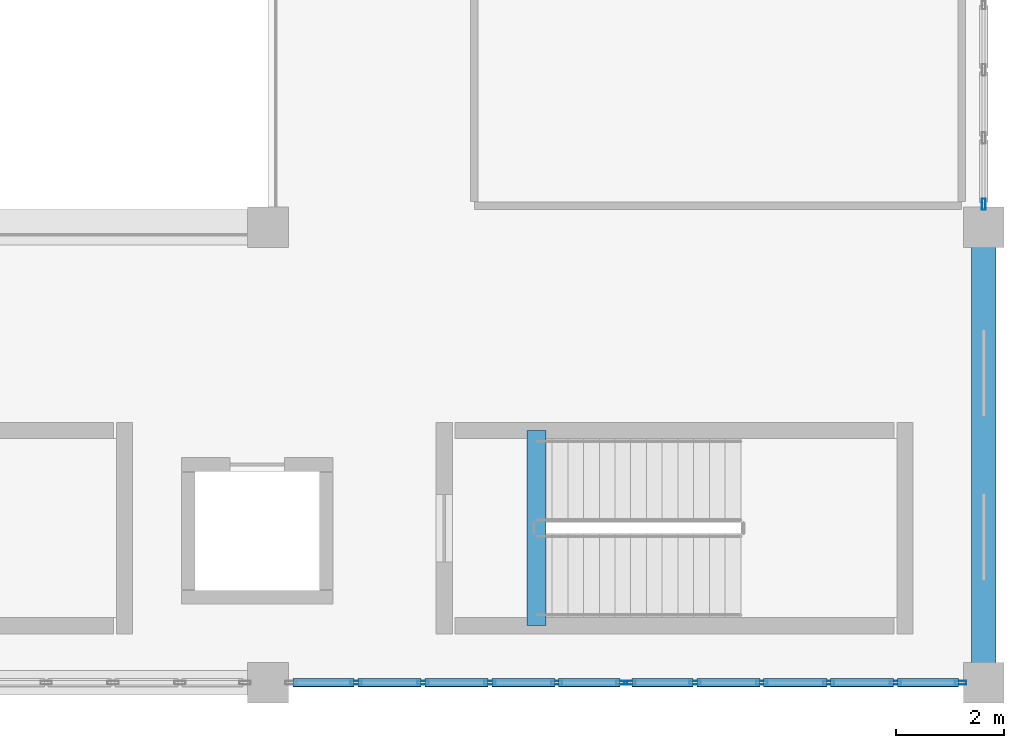
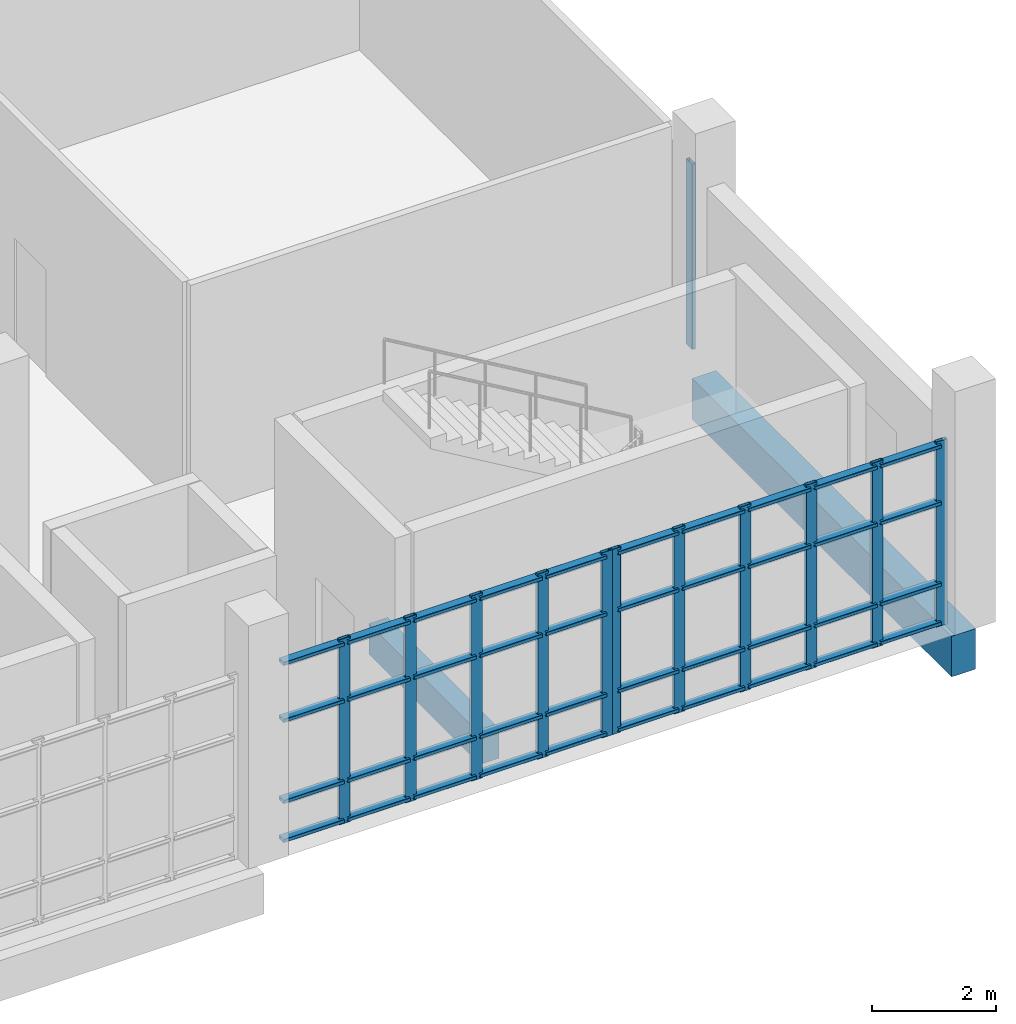
# One storey, part 51 of 106: 52 members, 2 beams, 3 elements without a shape of their own.
"""IFC4 building model written with IfcOpenShell, lengths in metres."""

import ifcopenshell
import ifcopenshell.guid

model = None  # the IFC model being written
_history = None  # IfcOwnerHistory: only IFC2X3 demands one
_inside = {}  # id of a spatial element -> (the spatial element, [elements in it])
_under = {}  # id of a project, library or spatial element -> (it, [spatial elements below it])
_declared = {}  # id of a project -> (the project, [libraries it declares])
_typed = {}  # id of a type object -> (the type object, [elements of that type])
_made_of = {}  # id of a material, layer set ... -> (it, [elements and type objects made of it])


def new_model(schema):
    """Start an empty IFC model of exactly this schema.

    Asked for "IFC4X3", IfcOpenShell would pick the latest addendum, in which some entities
    have other attributes; the version numbers below select the first issue.
    IFC2X3 requires an IfcOwnerHistory on every rooted entity: one is made here for all.
    """
    global model, _history
    if schema == "IFC4X3":
        model = ifcopenshell.file(schema_version=(4, 3, 0, 0))
    else:
        model = ifcopenshell.file(schema=schema)
    _inside.clear()
    _under.clear()
    _declared.clear()
    _typed.clear()
    _made_of.clear()
    _history = None
    if model.schema == "IFC2X3":
        org = make("IfcOrganization", Name="unknown")
        user = make(
            "IfcPersonAndOrganization",
            ThePerson=make("IfcPerson", FamilyName="unknown"),
            TheOrganization=org,
        )
        app = make(
            "IfcApplication",
            ApplicationDeveloper=org,
            Version="unknown",
            ApplicationFullName="unknown",
            ApplicationIdentifier="unknown",
        )
        _history = make(
            "IfcOwnerHistory",
            OwningUser=user,
            OwningApplication=app,
            ChangeAction="ADDED",
            CreationDate=0,
        )
    return model


def make(cls, **values):
    """One entity of the class cls with the attributes given. An attribute that is None is left unset."""
    return model.create_entity(
        cls, **{name: value for name, value in values.items() if value is not None}
    )


def rooted(cls, **values):
    """An entity with a GlobalId (a new one), such as an element, a storey or a relation."""
    return make(cls, GlobalId=ifcopenshell.guid.new(), OwnerHistory=_history, **values)


def si_unit(unit_type, name, prefix=None):
    """IfcSIUnit, for example si_unit("LENGTHUNIT", "METRE", prefix="MILLI")."""
    return make("IfcSIUnit", UnitType=unit_type, Prefix=prefix, Name=name)


def assignment(units):
    """IfcUnitAssignment: the units of a project."""
    return None if units is None else make("IfcUnitAssignment", Units=units)


def point(xyz):
    """IfcCartesianPoint."""
    return None if xyz is None else make("IfcCartesianPoint", Coordinates=xyz)


def direction(xyz):
    """IfcDirection."""
    return None if xyz is None else make("IfcDirection", DirectionRatios=xyz)


def frame(location, z_axis=None, x_axis=None):
    """IfcAxis2Placement3D, a coordinate frame: its origin and axes. An axis left out is left unset."""
    return make(
        "IfcAxis2Placement3D",
        Location=point(location),
        Axis=direction(z_axis),
        RefDirection=direction(x_axis),
    )


def frame_2d(location, x_axis=None):
    """IfcAxis2Placement2D, a coordinate frame in the plane: its origin and x axis."""
    return make(
        "IfcAxis2Placement2D", Location=point(location), RefDirection=direction(x_axis)
    )


def origin():
    """The frame at (0, 0, 0) with its axes left unset."""
    return frame((0.0, 0.0, 0.0))


def origin_2d():
    """The frame at (0, 0) in the plane with its x axis left unset."""
    return frame_2d((0.0, 0.0))


def place(relative_to, where):
    """IfcLocalPlacement: puts the frame where relative to a parent placement (None: the world)."""
    return make(
        "IfcLocalPlacement", PlacementRelTo=relative_to, RelativePlacement=where
    )


def context(
    kind, dimensions, precision=None, world=None, true_north=None, identifier=None
):
    """IfcGeometricRepresentationContext, for example the 3D "Model" context."""
    return make(
        "IfcGeometricRepresentationContext",
        ContextIdentifier=identifier,
        ContextType=kind,
        CoordinateSpaceDimension=dimensions,
        Precision=precision,
        WorldCoordinateSystem=world,
        TrueNorth=true_north,
    )


def subcontext(parent, identifier, kind, view, scale=None):
    """IfcGeometricRepresentationSubContext, for example "Body" below "Model"."""
    return make(
        "IfcGeometricRepresentationSubContext",
        ContextIdentifier=identifier,
        ContextType=kind,
        ParentContext=parent,
        TargetScale=scale,
        TargetView=view,
    )


def project(units=None, contexts=None):
    """IfcProject with its units and contexts."""
    return rooted(
        "IfcProject",
        Name="project",
        RepresentationContexts=contexts,
        UnitsInContext=assignment(units),
    )


def spatial(cls, under=None, at=None, **own):
    """A site, building, storey or space (cls), placed at a placement, below another one or the project."""
    s = rooted(cls, ObjectPlacement=at, **own)
    if under is not None:
        _under.setdefault(under.id(), (under, []))[1].append(s)
    return s


def profile(cls, at=None, kind="AREA", **sizes):
    """A parametric profile (cls). Its sizes go by their IFC names, for example OverallWidth=200.0."""
    return make(cls, ProfileType=kind, Position=at, **sizes)


def rectangle(**sizes):
    """IfcRectangleProfileDef."""
    return profile("IfcRectangleProfileDef", **sizes)


def hollow_rectangle(**sizes):
    """IfcRectangleHollowProfileDef."""
    return profile("IfcRectangleHollowProfileDef", **sizes)


def extrude(swept, where, along, depth):
    """IfcExtrudedAreaSolid: the profile swept, set in the frame where, extruded along a direction by depth."""
    return make(
        "IfcExtrudedAreaSolid",
        SweptArea=swept,
        Position=where,
        ExtrudedDirection=direction(along),
        Depth=depth,
    )


def shape(context_of_items, identifier, shape_type, items):
    """IfcShapeRepresentation: the items that make up one representation, for example the "Body"."""
    return make(
        "IfcShapeRepresentation",
        ContextOfItems=context_of_items,
        RepresentationIdentifier=identifier,
        RepresentationType=shape_type,
        Items=items,
    )


def material(Name=None, Category=None):
    """IfcMaterial."""
    return make("IfcMaterial", Name=Name, Category=Category)


def layer(
    of_material, thickness, ventilated=None, Name=None, Category=None, Priority=None
):
    """IfcMaterialLayer: one layer of a wall or slab, of a material (None: an air gap)."""
    return make(
        "IfcMaterialLayer",
        Material=of_material,
        LayerThickness=thickness,
        IsVentilated=ventilated,
        Name=Name,
        Category=Category,
        Priority=Priority,
    )


def layer_set(layers, Name=None):
    """IfcMaterialLayerSet."""
    return make("IfcMaterialLayerSet", MaterialLayers=layers, LayerSetName=Name)


def material_profile(
    of_material, cross_section, Name=None, Category=None, Priority=None
):
    """IfcMaterialProfile: a cross section and its material."""
    return make(
        "IfcMaterialProfile",
        Name=Name,
        Material=of_material,
        Profile=cross_section,
        Priority=Priority,
        Category=Category,
    )


def profile_set(profiles, Name=None, composite=None):
    """IfcMaterialProfileSet."""
    return make(
        "IfcMaterialProfileSet",
        Name=Name,
        MaterialProfiles=profiles,
        CompositeProfile=composite,
    )


def made_of(thing, what):
    """Note that an element or type object is made of a material, layer set ...; save() writes the relation."""
    if what is not None:
        _made_of.setdefault(what.id(), (what, []))[1].append(thing)
    return thing


def type_object(cls, material=None, **own):
    """A type object (cls), such as IfcWallType, which elements share."""
    return made_of(rooted(cls, **own), material)


def element(
    cls,
    number,
    at=None,
    inside=None,
    cuts=None,
    type_object=None,
    material=None,
    context=None,
    identifier="Body",
    shape_type=None,
    held_by="IfcProductDefinitionShape",
    body=None,
    shapes=None,
    **own,
):
    """One element of the class cls, such as IfcWall. Its Tag is "e" and its number.

    at: its placement. inside: the storey or other place that contains it. cuts: it is an
    opening in that element (IfcRelVoidsElement). A single representation is given by context,
    identifier, shape_type and body (its items); several are given by shapes. held_by: the class
    of the entity that holds the representations. save() writes the other relations.
    """
    e = rooted(cls, Tag="e%d" % number, ObjectPlacement=at, **own)
    if body is not None:
        shapes = [shape(context, identifier, shape_type, body)]
    if shapes is not None:
        e.Representation = make(held_by, Representations=shapes)
    if inside is not None:
        _inside.setdefault(inside.id(), (inside, []))[1].append(e)
    if cuts is not None:
        rooted(
            "IfcRelVoidsElement", RelatingBuildingElement=cuts, RelatedOpeningElement=e
        )
    if type_object is not None:
        _typed.setdefault(type_object.id(), (type_object, []))[1].append(e)
    return made_of(e, material)


def aggregate(whole, parts):
    """IfcRelAggregates: a whole, such as a stair, and the parts it consists of."""
    return rooted("IfcRelAggregates", RelatingObject=whole, RelatedObjects=parts)


def save(model, path):
    """Write the relations noted so far, then the file.

    IfcRelAggregates (storeys below a building ...), IfcRelContainedInSpatialStructure (elements
    in a storey), IfcRelDefinesByType, IfcRelAssociatesMaterial and IfcRelDeclares: one each for
    every whole, place, type object, material and project.
    """
    for whole, parts in _under.values():
        aggregate(whole, parts)
    for where, things in _inside.values():
        rooted(
            "IfcRelContainedInSpatialStructure",
            RelatedElements=things,
            RelatingStructure=where,
        )
    for kind, things in _typed.values():
        rooted("IfcRelDefinesByType", RelatedObjects=things, RelatingType=kind)
    for what, things in _made_of.values():
        rooted("IfcRelAssociatesMaterial", RelatedObjects=things, RelatingMaterial=what)
    for by, libraries in _declared.values():
        rooted("IfcRelDeclares", RelatingContext=by, RelatedDefinitions=libraries)
    model.write(path)


model = new_model("IFC4")

# Units and contexts
model_context = context("Model", 3, precision=1e-05, world=origin(), true_north=direction((0.0, 1.0)))
body_context = subcontext(model_context, "Body", "Model", "MODEL_VIEW")
ifc_project = project(units=[si_unit("LENGTHUNIT", "METRE"), si_unit("AREAUNIT", "SQUARE_METRE"), si_unit("VOLUMEUNIT", "CUBIC_METRE"), si_unit("PLANEANGLEUNIT", "RADIAN"), si_unit("MASSUNIT", "GRAM", prefix="KILO")], contexts=[model_context])

# Site, building, storey
site_placement = place(None, origin())
site = spatial("IfcSite", under=ifc_project, at=site_placement, CompositionType="ELEMENT")
building_placement = place(site_placement, origin())
building = spatial("IfcBuilding", under=site, at=building_placement, Name="Kisaragi Civic Commons", CompositionType="ELEMENT")
storey_placement = place(building_placement, frame((0.0, 0.0, 4.800048828125)))
storey = spatial("IfcBuildingStorey", under=building, at=storey_placement, Name="L01", CompositionType="ELEMENT", Elevation=4.800048828125)

# Curtain wall, member
ifc_material_1 = material(Name="Thermally broken anodized aluminium and low-E double glazing", Category="aluminium")
ifc_layer = layer(ifc_material_1, 0.2099609375, Name="Thermally broken anodized aluminium and low-E double glazing", Category="aluminium")
ifc_layer_set = layer_set([ifc_layer], Name="Thermally broken anodized aluminium and low-E double glazing")
curtain_wall_type = type_object("IfcCurtainWallType", Name="CW-02", PredefinedType="NOTDEFINED", material=ifc_layer_set)
curtain_wall_1_placement = place(storey_placement, origin())
curtain_wall_1 = element("IfcCurtainWall", 1, at=curtain_wall_1_placement, inside=storey, type_object=curtain_wall_type, Name="L01 curtain wall CW-02 CW-V3-L01-026", PredefinedType="NOTDEFINED")
ifc_material_profile_1 = material_profile(ifc_material_1, hollow_rectangle(XDim=0.070068359375, YDim=0.2099609375, WallThickness=0.0048828125, InnerFilletRadius=0.0048828125, OuterFilletRadius=0.010009765625, at=origin_2d()), Name="CWM-70x210x5", Category="aluminium")
ifc_profile_set_1 = profile_set([ifc_material_profile_1], Name="Thermally broken anodized aluminium and low-E double glazing")
member_type_1 = type_object("IfcMemberType", Name="CWM-03", PredefinedType="MULLION", material=ifc_profile_set_1)
member_1_placement = place(storey_placement, frame((172.800048828125, 8.824951171875, 0.0), z_axis=(0.0, 0.0, 1.0), x_axis=(1.0, 0.0, 0.0)))
member_1 = element("IfcMember", 2, at=member_1_placement, type_object=member_type_1, Name="CW-02 mullion 4", PredefinedType="MULLION", context=body_context, shape_type="SweptSolid", body=[
    extrude(hollow_rectangle(XDim=0.070068359375, YDim=0.2099609375, WallThickness=0.0048828125, InnerFilletRadius=0.0048828125, OuterFilletRadius=0.010009765625, at=origin_2d()), origin(), (0.0, 0.0, 1.0), 3.655029296875),
])
aggregate(curtain_wall_1, [member_1])

# Curtain wall, members
curtain_wall_2_placement = place(storey_placement, origin())
curtain_wall_2 = element("IfcCurtainWall", 3, at=curtain_wall_2_placement, inside=storey, type_object=curtain_wall_type, Name="L01 curtain wall CW-02 CW-V3-L01-027", PredefinedType="NOTDEFINED")
member_2_placement = place(storey_placement, frame((172.375, 0.0, 0.0), z_axis=(0.0, 0.0, 1.0), x_axis=(0.0, -1.0, 0.0)))
member_2 = element("IfcMember", 4, at=member_2_placement, type_object=member_type_1, Name="CW-02 mullion 1", PredefinedType="MULLION", context=body_context, shape_type="SweptSolid", body=[
    extrude(hollow_rectangle(XDim=0.070068359375, YDim=0.2099609375, WallThickness=0.0048828125, InnerFilletRadius=0.0048828125, OuterFilletRadius=0.010009765625, at=origin_2d()), origin(), (0.0, 0.0, 1.0), 3.655029296875),
])
member_3_placement = place(storey_placement, frame((171.176025390625, 0.0, 0.0), z_axis=(0.0, 0.0, 1.0), x_axis=(0.0, -1.0, 0.0)))
member_3 = element("IfcMember", 5, at=member_3_placement, type_object=member_type_1, Name="CW-02 mullion 2", PredefinedType="MULLION", context=body_context, shape_type="SweptSolid", body=[
    extrude(hollow_rectangle(XDim=0.070068359375, YDim=0.2099609375, WallThickness=0.0048828125, InnerFilletRadius=0.0048828125, OuterFilletRadius=0.010009765625, at=origin_2d()), origin(), (0.0, 0.0, 1.0), 3.655029296875),
])
member_4_placement = place(storey_placement, frame((169.94189453125, 0.0, 0.0), z_axis=(0.0, 0.0, 1.0), x_axis=(0.0, -1.0, 0.0)))
member_4 = element("IfcMember", 6, at=member_4_placement, type_object=member_type_1, Name="CW-02 mullion 3", PredefinedType="MULLION", context=body_context, shape_type="SweptSolid", body=[
    extrude(hollow_rectangle(XDim=0.070068359375, YDim=0.2099609375, WallThickness=0.0048828125, InnerFilletRadius=0.0048828125, OuterFilletRadius=0.010009765625, at=origin_2d()), origin(), (0.0, 0.0, 1.0), 3.655029296875),
])
member_5_placement = place(storey_placement, frame((168.7080078125, 0.0, 0.0), z_axis=(0.0, 0.0, 1.0), x_axis=(0.0, -1.0, 0.0)))
member_5 = element("IfcMember", 7, at=member_5_placement, type_object=member_type_1, Name="CW-02 mullion 4", PredefinedType="MULLION", context=body_context, shape_type="SweptSolid", body=[
    extrude(hollow_rectangle(XDim=0.070068359375, YDim=0.2099609375, WallThickness=0.0048828125, InnerFilletRadius=0.0048828125, OuterFilletRadius=0.010009765625, at=origin_2d()), origin(), (0.0, 0.0, 1.0), 3.655029296875),
])
member_6_placement = place(storey_placement, frame((167.47412109375, 0.0, 0.0), z_axis=(0.0, 0.0, 1.0), x_axis=(0.0, -1.0, 0.0)))
member_6 = element("IfcMember", 8, at=member_6_placement, type_object=member_type_1, Name="CW-02 mullion 5", PredefinedType="MULLION", context=body_context, shape_type="SweptSolid", body=[
    extrude(hollow_rectangle(XDim=0.070068359375, YDim=0.2099609375, WallThickness=0.0048828125, InnerFilletRadius=0.0048828125, OuterFilletRadius=0.010009765625, at=origin_2d()), origin(), (0.0, 0.0, 1.0), 3.655029296875),
])
member_7_placement = place(storey_placement, frame((166.27490234375, 0.0, 0.0), z_axis=(0.0, 0.0, 1.0), x_axis=(0.0, -1.0, 0.0)))
member_7 = element("IfcMember", 9, at=member_7_placement, type_object=member_type_1, Name="CW-02 mullion 6", PredefinedType="MULLION", context=body_context, shape_type="SweptSolid", body=[
    extrude(hollow_rectangle(XDim=0.070068359375, YDim=0.2099609375, WallThickness=0.0048828125, InnerFilletRadius=0.0048828125, OuterFilletRadius=0.010009765625, at=origin_2d()), origin(), (0.0, 0.0, 1.0), 3.655029296875),
])

curtain_wall_3_placement = place(storey_placement, origin())
curtain_wall_3 = element("IfcCurtainWall", 10, at=curtain_wall_3_placement, inside=storey, type_object=curtain_wall_type, Name="L01 curtain wall CW-02 CW-V3-L01-028", PredefinedType="NOTDEFINED")
member_8_placement = place(storey_placement, frame((166.125, 0.0, 0.0), z_axis=(0.0, 0.0, 1.0), x_axis=(0.0, -1.0, 0.0)))
member_8 = element("IfcMember", 11, at=member_8_placement, type_object=member_type_1, Name="CW-02 mullion 1", PredefinedType="MULLION", context=body_context, shape_type="SweptSolid", body=[
    extrude(hollow_rectangle(XDim=0.070068359375, YDim=0.2099609375, WallThickness=0.0048828125, InnerFilletRadius=0.0048828125, OuterFilletRadius=0.010009765625, at=origin_2d()), origin(), (0.0, 0.0, 1.0), 3.655029296875),
])
member_9_placement = place(storey_placement, frame((164.926025390625, 0.0, 0.0), z_axis=(0.0, 0.0, 1.0), x_axis=(0.0, -1.0, 0.0)))
member_9 = element("IfcMember", 12, at=member_9_placement, type_object=member_type_1, Name="CW-02 mullion 2", PredefinedType="MULLION", context=body_context, shape_type="SweptSolid", body=[
    extrude(hollow_rectangle(XDim=0.070068359375, YDim=0.2099609375, WallThickness=0.0048828125, InnerFilletRadius=0.0048828125, OuterFilletRadius=0.010009765625, at=origin_2d()), origin(), (0.0, 0.0, 1.0), 3.655029296875),
])
member_10_placement = place(storey_placement, frame((163.69189453125, 0.0, 0.0), z_axis=(0.0, 0.0, 1.0), x_axis=(0.0, -1.0, 0.0)))
member_10 = element("IfcMember", 13, at=member_10_placement, type_object=member_type_1, Name="CW-02 mullion 3", PredefinedType="MULLION", context=body_context, shape_type="SweptSolid", body=[
    extrude(hollow_rectangle(XDim=0.070068359375, YDim=0.2099609375, WallThickness=0.0048828125, InnerFilletRadius=0.0048828125, OuterFilletRadius=0.010009765625, at=origin_2d()), origin(), (0.0, 0.0, 1.0), 3.655029296875),
])
member_11_placement = place(storey_placement, frame((162.4580078125, 0.0, 0.0), z_axis=(0.0, 0.0, 1.0), x_axis=(0.0, -1.0, 0.0)))
member_11 = element("IfcMember", 14, at=member_11_placement, type_object=member_type_1, Name="CW-02 mullion 4", PredefinedType="MULLION", context=body_context, shape_type="SweptSolid", body=[
    extrude(hollow_rectangle(XDim=0.070068359375, YDim=0.2099609375, WallThickness=0.0048828125, InnerFilletRadius=0.0048828125, OuterFilletRadius=0.010009765625, at=origin_2d()), origin(), (0.0, 0.0, 1.0), 3.655029296875),
])
member_12_placement = place(storey_placement, frame((161.22412109375, 0.0, 0.0), z_axis=(0.0, 0.0, 1.0), x_axis=(0.0, -1.0, 0.0)))
member_12 = element("IfcMember", 15, at=member_12_placement, type_object=member_type_1, Name="CW-02 mullion 5", PredefinedType="MULLION", context=body_context, shape_type="SweptSolid", body=[
    extrude(hollow_rectangle(XDim=0.070068359375, YDim=0.2099609375, WallThickness=0.0048828125, InnerFilletRadius=0.0048828125, OuterFilletRadius=0.010009765625, at=origin_2d()), origin(), (0.0, 0.0, 1.0), 3.655029296875),
])

# Member
ifc_material_profile_2 = material_profile(ifc_material_1, hollow_rectangle(XDim=0.159912109375, YDim=0.070068359375, WallThickness=0.0048828125, InnerFilletRadius=0.0048828125, OuterFilletRadius=0.010009765625, at=origin_2d()), Name="CWT-70x160x5", Category="aluminium")
ifc_profile_set_2 = profile_set([ifc_material_profile_2], Name="Thermally broken anodized aluminium and low-E double glazing")
member_type_2 = type_object("IfcMemberType", Name="CWT-03", PredefinedType="USERDEFINED", material=ifc_profile_set_2)
member_13_placement = place(storey_placement, frame((172.340087890625, 0.0, 0.079833984375), z_axis=(-1.0, 0.0, 0.0), x_axis=(0.0, -1.0, 0.0)))
member_13 = element("IfcMember", 16, at=member_13_placement, type_object=member_type_2, Name="CW-02 transom 1.1", ObjectType="TRANSOM", PredefinedType="USERDEFINED", context=body_context, shape_type="SweptSolid", body=[
    extrude(hollow_rectangle(XDim=0.159912109375, YDim=0.070068359375, WallThickness=0.0048828125, InnerFilletRadius=0.0048828125, OuterFilletRadius=0.010009765625, at=origin_2d()), origin(), (0.0, 0.0, 1.0), 1.129150390625),
])

member_14_placement = place(storey_placement, frame((172.340087890625, 0.0, 0.849853515625), z_axis=(-1.0, 0.0, 0.0), x_axis=(0.0, -1.0, 0.0)))
member_14 = element("IfcMember", 17, at=member_14_placement, type_object=member_type_2, Name="CW-02 transom 1.2", ObjectType="TRANSOM", PredefinedType="USERDEFINED", context=body_context, shape_type="SweptSolid", body=[
    extrude(hollow_rectangle(XDim=0.159912109375, YDim=0.070068359375, WallThickness=0.0048828125, InnerFilletRadius=0.0048828125, OuterFilletRadius=0.010009765625, at=origin_2d()), origin(), (0.0, 0.0, 1.0), 1.129150390625),
])

member_15_placement = place(storey_placement, frame((172.340087890625, 0.0, 2.449951171875), z_axis=(-1.0, 0.0, 0.0), x_axis=(0.0, -1.0, 0.0)))
member_15 = element("IfcMember", 18, at=member_15_placement, type_object=member_type_2, Name="CW-02 transom 1.3", ObjectType="TRANSOM", PredefinedType="USERDEFINED", context=body_context, shape_type="SweptSolid", body=[
    extrude(hollow_rectangle(XDim=0.159912109375, YDim=0.070068359375, WallThickness=0.0048828125, InnerFilletRadius=0.0048828125, OuterFilletRadius=0.010009765625, at=origin_2d()), origin(), (0.0, 0.0, 1.0), 1.129150390625),
])

member_16_placement = place(storey_placement, frame((172.340087890625, 0.0, 3.574951171875), z_axis=(-1.0, 0.0, 0.0), x_axis=(0.0, -1.0, 0.0)))
member_16 = element("IfcMember", 19, at=member_16_placement, type_object=member_type_2, Name="CW-02 transom 1.4", ObjectType="TRANSOM", PredefinedType="USERDEFINED", context=body_context, shape_type="SweptSolid", body=[
    extrude(hollow_rectangle(XDim=0.159912109375, YDim=0.070068359375, WallThickness=0.0048828125, InnerFilletRadius=0.0048828125, OuterFilletRadius=0.010009765625, at=origin_2d()), origin(), (0.0, 0.0, 1.0), 1.129150390625),
])

member_17_placement = place(storey_placement, frame((171.14111328125, 0.0, 0.079833984375), z_axis=(-1.0, 0.0, 0.0), x_axis=(0.0, -1.0, 0.0)))
member_17 = element("IfcMember", 20, at=member_17_placement, type_object=member_type_2, Name="CW-02 transom 2.1", ObjectType="TRANSOM", PredefinedType="USERDEFINED", context=body_context, shape_type="SweptSolid", body=[
    extrude(hollow_rectangle(XDim=0.159912109375, YDim=0.070068359375, WallThickness=0.0048828125, InnerFilletRadius=0.0048828125, OuterFilletRadius=0.010009765625, at=origin_2d()), origin(), (0.0, 0.0, 1.0), 1.1640625),
])

member_18_placement = place(storey_placement, frame((171.14111328125, 0.0, 0.849853515625), z_axis=(-1.0, 0.0, 0.0), x_axis=(0.0, -1.0, 0.0)))
member_18 = element("IfcMember", 21, at=member_18_placement, type_object=member_type_2, Name="CW-02 transom 2.2", ObjectType="TRANSOM", PredefinedType="USERDEFINED", context=body_context, shape_type="SweptSolid", body=[
    extrude(hollow_rectangle(XDim=0.159912109375, YDim=0.070068359375, WallThickness=0.0048828125, InnerFilletRadius=0.0048828125, OuterFilletRadius=0.010009765625, at=origin_2d()), origin(), (0.0, 0.0, 1.0), 1.1640625),
])

member_19_placement = place(storey_placement, frame((171.14111328125, 0.0, 2.449951171875), z_axis=(-1.0, 0.0, 0.0), x_axis=(0.0, -1.0, 0.0)))
member_19 = element("IfcMember", 22, at=member_19_placement, type_object=member_type_2, Name="CW-02 transom 2.3", ObjectType="TRANSOM", PredefinedType="USERDEFINED", context=body_context, shape_type="SweptSolid", body=[
    extrude(hollow_rectangle(XDim=0.159912109375, YDim=0.070068359375, WallThickness=0.0048828125, InnerFilletRadius=0.0048828125, OuterFilletRadius=0.010009765625, at=origin_2d()), origin(), (0.0, 0.0, 1.0), 1.1640625),
])

member_20_placement = place(storey_placement, frame((171.14111328125, 0.0, 3.574951171875), z_axis=(-1.0, 0.0, 0.0), x_axis=(0.0, -1.0, 0.0)))
member_20 = element("IfcMember", 23, at=member_20_placement, type_object=member_type_2, Name="CW-02 transom 2.4", ObjectType="TRANSOM", PredefinedType="USERDEFINED", context=body_context, shape_type="SweptSolid", body=[
    extrude(hollow_rectangle(XDim=0.159912109375, YDim=0.070068359375, WallThickness=0.0048828125, InnerFilletRadius=0.0048828125, OuterFilletRadius=0.010009765625, at=origin_2d()), origin(), (0.0, 0.0, 1.0), 1.1640625),
])

member_21_placement = place(storey_placement, frame((169.906982421875, 0.0, 0.079833984375), z_axis=(-1.0, 0.0, 0.0), x_axis=(0.0, -1.0, 0.0)))
member_21 = element("IfcMember", 24, at=member_21_placement, type_object=member_type_2, Name="CW-02 transom 3.1", ObjectType="TRANSOM", PredefinedType="USERDEFINED", context=body_context, shape_type="SweptSolid", body=[
    extrude(hollow_rectangle(XDim=0.159912109375, YDim=0.070068359375, WallThickness=0.0048828125, InnerFilletRadius=0.0048828125, OuterFilletRadius=0.010009765625, at=origin_2d()), origin(), (0.0, 0.0, 1.0), 1.1640625),
])

member_22_placement = place(storey_placement, frame((169.906982421875, 0.0, 0.849853515625), z_axis=(-1.0, 0.0, 0.0), x_axis=(0.0, -1.0, 0.0)))
member_22 = element("IfcMember", 25, at=member_22_placement, type_object=member_type_2, Name="CW-02 transom 3.2", ObjectType="TRANSOM", PredefinedType="USERDEFINED", context=body_context, shape_type="SweptSolid", body=[
    extrude(hollow_rectangle(XDim=0.159912109375, YDim=0.070068359375, WallThickness=0.0048828125, InnerFilletRadius=0.0048828125, OuterFilletRadius=0.010009765625, at=origin_2d()), origin(), (0.0, 0.0, 1.0), 1.1640625),
])

member_23_placement = place(storey_placement, frame((169.906982421875, 0.0, 2.449951171875), z_axis=(-1.0, 0.0, 0.0), x_axis=(0.0, -1.0, 0.0)))
member_23 = element("IfcMember", 26, at=member_23_placement, type_object=member_type_2, Name="CW-02 transom 3.3", ObjectType="TRANSOM", PredefinedType="USERDEFINED", context=body_context, shape_type="SweptSolid", body=[
    extrude(hollow_rectangle(XDim=0.159912109375, YDim=0.070068359375, WallThickness=0.0048828125, InnerFilletRadius=0.0048828125, OuterFilletRadius=0.010009765625, at=origin_2d()), origin(), (0.0, 0.0, 1.0), 1.1640625),
])

member_24_placement = place(storey_placement, frame((169.906982421875, 0.0, 3.574951171875), z_axis=(-1.0, 0.0, 0.0), x_axis=(0.0, -1.0, 0.0)))
member_24 = element("IfcMember", 27, at=member_24_placement, type_object=member_type_2, Name="CW-02 transom 3.4", ObjectType="TRANSOM", PredefinedType="USERDEFINED", context=body_context, shape_type="SweptSolid", body=[
    extrude(hollow_rectangle(XDim=0.159912109375, YDim=0.070068359375, WallThickness=0.0048828125, InnerFilletRadius=0.0048828125, OuterFilletRadius=0.010009765625, at=origin_2d()), origin(), (0.0, 0.0, 1.0), 1.1640625),
])

member_25_placement = place(storey_placement, frame((168.673095703125, 0.0, 0.079833984375), z_axis=(-1.0, 0.0, 0.0), x_axis=(0.0, -1.0, 0.0)))
member_25 = element("IfcMember", 28, at=member_25_placement, type_object=member_type_2, Name="CW-02 transom 4.1", ObjectType="TRANSOM", PredefinedType="USERDEFINED", context=body_context, shape_type="SweptSolid", body=[
    extrude(hollow_rectangle(XDim=0.159912109375, YDim=0.070068359375, WallThickness=0.0048828125, InnerFilletRadius=0.0048828125, OuterFilletRadius=0.010009765625, at=origin_2d()), origin(), (0.0, 0.0, 1.0), 1.1640625),
])

member_26_placement = place(storey_placement, frame((168.673095703125, 0.0, 0.849853515625), z_axis=(-1.0, 0.0, 0.0), x_axis=(0.0, -1.0, 0.0)))
member_26 = element("IfcMember", 29, at=member_26_placement, type_object=member_type_2, Name="CW-02 transom 4.2", ObjectType="TRANSOM", PredefinedType="USERDEFINED", context=body_context, shape_type="SweptSolid", body=[
    extrude(hollow_rectangle(XDim=0.159912109375, YDim=0.070068359375, WallThickness=0.0048828125, InnerFilletRadius=0.0048828125, OuterFilletRadius=0.010009765625, at=origin_2d()), origin(), (0.0, 0.0, 1.0), 1.1640625),
])

member_27_placement = place(storey_placement, frame((168.673095703125, 0.0, 2.449951171875), z_axis=(-1.0, 0.0, 0.0), x_axis=(0.0, -1.0, 0.0)))
member_27 = element("IfcMember", 30, at=member_27_placement, type_object=member_type_2, Name="CW-02 transom 4.3", ObjectType="TRANSOM", PredefinedType="USERDEFINED", context=body_context, shape_type="SweptSolid", body=[
    extrude(hollow_rectangle(XDim=0.159912109375, YDim=0.070068359375, WallThickness=0.0048828125, InnerFilletRadius=0.0048828125, OuterFilletRadius=0.010009765625, at=origin_2d()), origin(), (0.0, 0.0, 1.0), 1.1640625),
])

member_28_placement = place(storey_placement, frame((168.673095703125, 0.0, 3.574951171875), z_axis=(-1.0, 0.0, 0.0), x_axis=(0.0, -1.0, 0.0)))
member_28 = element("IfcMember", 31, at=member_28_placement, type_object=member_type_2, Name="CW-02 transom 4.4", ObjectType="TRANSOM", PredefinedType="USERDEFINED", context=body_context, shape_type="SweptSolid", body=[
    extrude(hollow_rectangle(XDim=0.159912109375, YDim=0.070068359375, WallThickness=0.0048828125, InnerFilletRadius=0.0048828125, OuterFilletRadius=0.010009765625, at=origin_2d()), origin(), (0.0, 0.0, 1.0), 1.1640625),
])

member_29_placement = place(storey_placement, frame((167.43896484375, 0.0, 0.079833984375), z_axis=(-1.0, 0.0, 0.0), x_axis=(0.0, -1.0, 0.0)))
member_29 = element("IfcMember", 32, at=member_29_placement, type_object=member_type_2, Name="CW-02 transom 5.1", ObjectType="TRANSOM", PredefinedType="USERDEFINED", context=body_context, shape_type="SweptSolid", body=[
    extrude(hollow_rectangle(XDim=0.159912109375, YDim=0.070068359375, WallThickness=0.0048828125, InnerFilletRadius=0.0048828125, OuterFilletRadius=0.010009765625, at=origin_2d()), origin(), (0.0, 0.0, 1.0), 1.12890625),
])

member_30_placement = place(storey_placement, frame((167.43896484375, 0.0, 0.849853515625), z_axis=(-1.0, 0.0, 0.0), x_axis=(0.0, -1.0, 0.0)))
member_30 = element("IfcMember", 33, at=member_30_placement, type_object=member_type_2, Name="CW-02 transom 5.2", ObjectType="TRANSOM", PredefinedType="USERDEFINED", context=body_context, shape_type="SweptSolid", body=[
    extrude(hollow_rectangle(XDim=0.159912109375, YDim=0.070068359375, WallThickness=0.0048828125, InnerFilletRadius=0.0048828125, OuterFilletRadius=0.010009765625, at=origin_2d()), origin(), (0.0, 0.0, 1.0), 1.12890625),
])

member_31_placement = place(storey_placement, frame((167.43896484375, 0.0, 2.449951171875), z_axis=(-1.0, 0.0, 0.0), x_axis=(0.0, -1.0, 0.0)))
member_31 = element("IfcMember", 34, at=member_31_placement, type_object=member_type_2, Name="CW-02 transom 5.3", ObjectType="TRANSOM", PredefinedType="USERDEFINED", context=body_context, shape_type="SweptSolid", body=[
    extrude(hollow_rectangle(XDim=0.159912109375, YDim=0.070068359375, WallThickness=0.0048828125, InnerFilletRadius=0.0048828125, OuterFilletRadius=0.010009765625, at=origin_2d()), origin(), (0.0, 0.0, 1.0), 1.12890625),
])

member_32_placement = place(storey_placement, frame((167.43896484375, 0.0, 3.574951171875), z_axis=(-1.0, 0.0, 0.0), x_axis=(0.0, -1.0, 0.0)))
member_32 = element("IfcMember", 35, at=member_32_placement, type_object=member_type_2, Name="CW-02 transom 5.4", ObjectType="TRANSOM", PredefinedType="USERDEFINED", context=body_context, shape_type="SweptSolid", body=[
    extrude(hollow_rectangle(XDim=0.159912109375, YDim=0.070068359375, WallThickness=0.0048828125, InnerFilletRadius=0.0048828125, OuterFilletRadius=0.010009765625, at=origin_2d()), origin(), (0.0, 0.0, 1.0), 1.12890625),
])

aggregate(curtain_wall_2, [member_2, member_3, member_4, member_5, member_6, member_7, member_13, member_14, member_15, member_16, member_17, member_18, member_19, member_20, member_21, member_22, member_23, member_24, member_25, member_26, member_27, member_28, member_29, member_30, member_31, member_32])

member_33_placement = place(storey_placement, frame((166.090087890625, 0.0, 0.079833984375), z_axis=(-1.0, 0.0, 0.0), x_axis=(0.0, -1.0, 0.0)))
member_33 = element("IfcMember", 36, at=member_33_placement, type_object=member_type_2, Name="CW-02 transom 1.1", ObjectType="TRANSOM", PredefinedType="USERDEFINED", context=body_context, shape_type="SweptSolid", body=[
    extrude(hollow_rectangle(XDim=0.159912109375, YDim=0.070068359375, WallThickness=0.0048828125, InnerFilletRadius=0.0048828125, OuterFilletRadius=0.010009765625, at=origin_2d()), origin(), (0.0, 0.0, 1.0), 1.129150390625),
])

member_34_placement = place(storey_placement, frame((166.090087890625, 0.0, 0.849853515625), z_axis=(-1.0, 0.0, 0.0), x_axis=(0.0, -1.0, 0.0)))
member_34 = element("IfcMember", 37, at=member_34_placement, type_object=member_type_2, Name="CW-02 transom 1.2", ObjectType="TRANSOM", PredefinedType="USERDEFINED", context=body_context, shape_type="SweptSolid", body=[
    extrude(hollow_rectangle(XDim=0.159912109375, YDim=0.070068359375, WallThickness=0.0048828125, InnerFilletRadius=0.0048828125, OuterFilletRadius=0.010009765625, at=origin_2d()), origin(), (0.0, 0.0, 1.0), 1.129150390625),
])

member_35_placement = place(storey_placement, frame((166.090087890625, 0.0, 2.449951171875), z_axis=(-1.0, 0.0, 0.0), x_axis=(0.0, -1.0, 0.0)))
member_35 = element("IfcMember", 38, at=member_35_placement, type_object=member_type_2, Name="CW-02 transom 1.3", ObjectType="TRANSOM", PredefinedType="USERDEFINED", context=body_context, shape_type="SweptSolid", body=[
    extrude(hollow_rectangle(XDim=0.159912109375, YDim=0.070068359375, WallThickness=0.0048828125, InnerFilletRadius=0.0048828125, OuterFilletRadius=0.010009765625, at=origin_2d()), origin(), (0.0, 0.0, 1.0), 1.129150390625),
])

member_36_placement = place(storey_placement, frame((166.090087890625, 0.0, 3.574951171875), z_axis=(-1.0, 0.0, 0.0), x_axis=(0.0, -1.0, 0.0)))
member_36 = element("IfcMember", 39, at=member_36_placement, type_object=member_type_2, Name="CW-02 transom 1.4", ObjectType="TRANSOM", PredefinedType="USERDEFINED", context=body_context, shape_type="SweptSolid", body=[
    extrude(hollow_rectangle(XDim=0.159912109375, YDim=0.070068359375, WallThickness=0.0048828125, InnerFilletRadius=0.0048828125, OuterFilletRadius=0.010009765625, at=origin_2d()), origin(), (0.0, 0.0, 1.0), 1.129150390625),
])

member_37_placement = place(storey_placement, frame((164.89111328125, 0.0, 0.079833984375), z_axis=(-1.0, 0.0, 0.0), x_axis=(0.0, -1.0, 0.0)))
member_37 = element("IfcMember", 40, at=member_37_placement, type_object=member_type_2, Name="CW-02 transom 2.1", ObjectType="TRANSOM", PredefinedType="USERDEFINED", context=body_context, shape_type="SweptSolid", body=[
    extrude(hollow_rectangle(XDim=0.159912109375, YDim=0.070068359375, WallThickness=0.0048828125, InnerFilletRadius=0.0048828125, OuterFilletRadius=0.010009765625, at=origin_2d()), origin(), (0.0, 0.0, 1.0), 1.1640625),
])

member_38_placement = place(storey_placement, frame((164.89111328125, 0.0, 0.849853515625), z_axis=(-1.0, 0.0, 0.0), x_axis=(0.0, -1.0, 0.0)))
member_38 = element("IfcMember", 41, at=member_38_placement, type_object=member_type_2, Name="CW-02 transom 2.2", ObjectType="TRANSOM", PredefinedType="USERDEFINED", context=body_context, shape_type="SweptSolid", body=[
    extrude(hollow_rectangle(XDim=0.159912109375, YDim=0.070068359375, WallThickness=0.0048828125, InnerFilletRadius=0.0048828125, OuterFilletRadius=0.010009765625, at=origin_2d()), origin(), (0.0, 0.0, 1.0), 1.1640625),
])

member_39_placement = place(storey_placement, frame((164.89111328125, 0.0, 2.449951171875), z_axis=(-1.0, 0.0, 0.0), x_axis=(0.0, -1.0, 0.0)))
member_39 = element("IfcMember", 42, at=member_39_placement, type_object=member_type_2, Name="CW-02 transom 2.3", ObjectType="TRANSOM", PredefinedType="USERDEFINED", context=body_context, shape_type="SweptSolid", body=[
    extrude(hollow_rectangle(XDim=0.159912109375, YDim=0.070068359375, WallThickness=0.0048828125, InnerFilletRadius=0.0048828125, OuterFilletRadius=0.010009765625, at=origin_2d()), origin(), (0.0, 0.0, 1.0), 1.1640625),
])

member_40_placement = place(storey_placement, frame((164.89111328125, 0.0, 3.574951171875), z_axis=(-1.0, 0.0, 0.0), x_axis=(0.0, -1.0, 0.0)))
member_40 = element("IfcMember", 43, at=member_40_placement, type_object=member_type_2, Name="CW-02 transom 2.4", ObjectType="TRANSOM", PredefinedType="USERDEFINED", context=body_context, shape_type="SweptSolid", body=[
    extrude(hollow_rectangle(XDim=0.159912109375, YDim=0.070068359375, WallThickness=0.0048828125, InnerFilletRadius=0.0048828125, OuterFilletRadius=0.010009765625, at=origin_2d()), origin(), (0.0, 0.0, 1.0), 1.1640625),
])

member_41_placement = place(storey_placement, frame((163.656982421875, 0.0, 0.079833984375), z_axis=(-1.0, 0.0, 0.0), x_axis=(0.0, -1.0, 0.0)))
member_41 = element("IfcMember", 44, at=member_41_placement, type_object=member_type_2, Name="CW-02 transom 3.1", ObjectType="TRANSOM", PredefinedType="USERDEFINED", context=body_context, shape_type="SweptSolid", body=[
    extrude(hollow_rectangle(XDim=0.159912109375, YDim=0.070068359375, WallThickness=0.0048828125, InnerFilletRadius=0.0048828125, OuterFilletRadius=0.010009765625, at=origin_2d()), origin(), (0.0, 0.0, 1.0), 1.1640625),
])

member_42_placement = place(storey_placement, frame((163.656982421875, 0.0, 0.849853515625), z_axis=(-1.0, 0.0, 0.0), x_axis=(0.0, -1.0, 0.0)))
member_42 = element("IfcMember", 45, at=member_42_placement, type_object=member_type_2, Name="CW-02 transom 3.2", ObjectType="TRANSOM", PredefinedType="USERDEFINED", context=body_context, shape_type="SweptSolid", body=[
    extrude(hollow_rectangle(XDim=0.159912109375, YDim=0.070068359375, WallThickness=0.0048828125, InnerFilletRadius=0.0048828125, OuterFilletRadius=0.010009765625, at=origin_2d()), origin(), (0.0, 0.0, 1.0), 1.1640625),
])

member_43_placement = place(storey_placement, frame((163.656982421875, 0.0, 2.449951171875), z_axis=(-1.0, 0.0, 0.0), x_axis=(0.0, -1.0, 0.0)))
member_43 = element("IfcMember", 46, at=member_43_placement, type_object=member_type_2, Name="CW-02 transom 3.3", ObjectType="TRANSOM", PredefinedType="USERDEFINED", context=body_context, shape_type="SweptSolid", body=[
    extrude(hollow_rectangle(XDim=0.159912109375, YDim=0.070068359375, WallThickness=0.0048828125, InnerFilletRadius=0.0048828125, OuterFilletRadius=0.010009765625, at=origin_2d()), origin(), (0.0, 0.0, 1.0), 1.1640625),
])

member_44_placement = place(storey_placement, frame((163.656982421875, 0.0, 3.574951171875), z_axis=(-1.0, 0.0, 0.0), x_axis=(0.0, -1.0, 0.0)))
member_44 = element("IfcMember", 47, at=member_44_placement, type_object=member_type_2, Name="CW-02 transom 3.4", ObjectType="TRANSOM", PredefinedType="USERDEFINED", context=body_context, shape_type="SweptSolid", body=[
    extrude(hollow_rectangle(XDim=0.159912109375, YDim=0.070068359375, WallThickness=0.0048828125, InnerFilletRadius=0.0048828125, OuterFilletRadius=0.010009765625, at=origin_2d()), origin(), (0.0, 0.0, 1.0), 1.1640625),
])

member_45_placement = place(storey_placement, frame((162.423095703125, 0.0, 0.079833984375), z_axis=(-1.0, 0.0, 0.0), x_axis=(0.0, -1.0, 0.0)))
member_45 = element("IfcMember", 48, at=member_45_placement, type_object=member_type_2, Name="CW-02 transom 4.1", ObjectType="TRANSOM", PredefinedType="USERDEFINED", context=body_context, shape_type="SweptSolid", body=[
    extrude(hollow_rectangle(XDim=0.159912109375, YDim=0.070068359375, WallThickness=0.0048828125, InnerFilletRadius=0.0048828125, OuterFilletRadius=0.010009765625, at=origin_2d()), origin(), (0.0, 0.0, 1.0), 1.1640625),
])

member_46_placement = place(storey_placement, frame((162.423095703125, 0.0, 0.849853515625), z_axis=(-1.0, 0.0, 0.0), x_axis=(0.0, -1.0, 0.0)))
member_46 = element("IfcMember", 49, at=member_46_placement, type_object=member_type_2, Name="CW-02 transom 4.2", ObjectType="TRANSOM", PredefinedType="USERDEFINED", context=body_context, shape_type="SweptSolid", body=[
    extrude(hollow_rectangle(XDim=0.159912109375, YDim=0.070068359375, WallThickness=0.0048828125, InnerFilletRadius=0.0048828125, OuterFilletRadius=0.010009765625, at=origin_2d()), origin(), (0.0, 0.0, 1.0), 1.1640625),
])

member_47_placement = place(storey_placement, frame((162.423095703125, 0.0, 2.449951171875), z_axis=(-1.0, 0.0, 0.0), x_axis=(0.0, -1.0, 0.0)))
member_47 = element("IfcMember", 50, at=member_47_placement, type_object=member_type_2, Name="CW-02 transom 4.3", ObjectType="TRANSOM", PredefinedType="USERDEFINED", context=body_context, shape_type="SweptSolid", body=[
    extrude(hollow_rectangle(XDim=0.159912109375, YDim=0.070068359375, WallThickness=0.0048828125, InnerFilletRadius=0.0048828125, OuterFilletRadius=0.010009765625, at=origin_2d()), origin(), (0.0, 0.0, 1.0), 1.1640625),
])

member_48_placement = place(storey_placement, frame((162.423095703125, 0.0, 3.574951171875), z_axis=(-1.0, 0.0, 0.0), x_axis=(0.0, -1.0, 0.0)))
member_48 = element("IfcMember", 51, at=member_48_placement, type_object=member_type_2, Name="CW-02 transom 4.4", ObjectType="TRANSOM", PredefinedType="USERDEFINED", context=body_context, shape_type="SweptSolid", body=[
    extrude(hollow_rectangle(XDim=0.159912109375, YDim=0.070068359375, WallThickness=0.0048828125, InnerFilletRadius=0.0048828125, OuterFilletRadius=0.010009765625, at=origin_2d()), origin(), (0.0, 0.0, 1.0), 1.1640625),
])

member_49_placement = place(storey_placement, frame((161.18896484375, 0.0, 0.079833984375), z_axis=(-1.0, 0.0, 0.0), x_axis=(0.0, -1.0, 0.0)))
member_49 = element("IfcMember", 52, at=member_49_placement, type_object=member_type_2, Name="CW-02 transom 5.1", ObjectType="TRANSOM", PredefinedType="USERDEFINED", context=body_context, shape_type="SweptSolid", body=[
    extrude(hollow_rectangle(XDim=0.159912109375, YDim=0.070068359375, WallThickness=0.0048828125, InnerFilletRadius=0.0048828125, OuterFilletRadius=0.010009765625, at=origin_2d()), origin(), (0.0, 0.0, 1.0), 1.12890625),
])

member_50_placement = place(storey_placement, frame((161.18896484375, 0.0, 0.849853515625), z_axis=(-1.0, 0.0, 0.0), x_axis=(0.0, -1.0, 0.0)))
member_50 = element("IfcMember", 53, at=member_50_placement, type_object=member_type_2, Name="CW-02 transom 5.2", ObjectType="TRANSOM", PredefinedType="USERDEFINED", context=body_context, shape_type="SweptSolid", body=[
    extrude(hollow_rectangle(XDim=0.159912109375, YDim=0.070068359375, WallThickness=0.0048828125, InnerFilletRadius=0.0048828125, OuterFilletRadius=0.010009765625, at=origin_2d()), origin(), (0.0, 0.0, 1.0), 1.12890625),
])

member_51_placement = place(storey_placement, frame((161.18896484375, 0.0, 2.449951171875), z_axis=(-1.0, 0.0, 0.0), x_axis=(0.0, -1.0, 0.0)))
member_51 = element("IfcMember", 54, at=member_51_placement, type_object=member_type_2, Name="CW-02 transom 5.3", ObjectType="TRANSOM", PredefinedType="USERDEFINED", context=body_context, shape_type="SweptSolid", body=[
    extrude(hollow_rectangle(XDim=0.159912109375, YDim=0.070068359375, WallThickness=0.0048828125, InnerFilletRadius=0.0048828125, OuterFilletRadius=0.010009765625, at=origin_2d()), origin(), (0.0, 0.0, 1.0), 1.12890625),
])

member_52_placement = place(storey_placement, frame((161.18896484375, 0.0, 3.574951171875), z_axis=(-1.0, 0.0, 0.0), x_axis=(0.0, -1.0, 0.0)))
member_52 = element("IfcMember", 55, at=member_52_placement, type_object=member_type_2, Name="CW-02 transom 5.4", ObjectType="TRANSOM", PredefinedType="USERDEFINED", context=body_context, shape_type="SweptSolid", body=[
    extrude(hollow_rectangle(XDim=0.159912109375, YDim=0.070068359375, WallThickness=0.0048828125, InnerFilletRadius=0.0048828125, OuterFilletRadius=0.010009765625, at=origin_2d()), origin(), (0.0, 0.0, 1.0), 1.12890625),
])

aggregate(curtain_wall_3, [member_8, member_9, member_10, member_11, member_12, member_33, member_34, member_35, member_36, member_37, member_38, member_39, member_40, member_41, member_42, member_43, member_44, member_45, member_46, member_47, member_48, member_49, member_50, member_51, member_52])

# Beams
ifc_material_2 = material(Name="Concrete Fc30", Category="concrete")
ifc_material_profile_3 = material_profile(ifc_material_2, rectangle(XDim=0.35009765625, YDim=0.60009765625, at=origin_2d()), Name="RC-350x600", Category="concrete")
ifc_profile_set_3 = profile_set([ifc_material_profile_3], Name="Concrete Fc30")
beam_type_1 = type_object("IfcBeamType", Name="G-14", PredefinedType="BEAM", material=ifc_profile_set_3)
beam_1_placement = place(storey_placement, frame((164.550048828125, 1.050048828125, -0.300048828125), z_axis=(0.0, 1.0, 0.0), x_axis=(-1.0, 0.0, 0.0)))
element("IfcBeam", 56, at=beam_1_placement, inside=storey, type_object=beam_type_1, Name="ST-D2 L01 stair landing trimmer beam", PredefinedType="BEAM", context=body_context, shape_type="SweptSolid", body=[
    extrude(rectangle(XDim=0.35009765625, YDim=0.60009765625, at=origin_2d()), origin(), (0.0, 0.0, 1.0), 3.599853515625),
])
ifc_material_profile_4 = material_profile(ifc_material_2, rectangle(XDim=0.449951171875, YDim=0.800048828125, at=origin_2d()), Name="RC-450x800", Category="concrete")
ifc_profile_set_4 = profile_set([ifc_material_profile_4], Name="Concrete Fc30")
beam_type_2 = type_object("IfcBeamType", Name="SPB-01", PredefinedType="SPANDREL", material=ifc_profile_set_4)
beam_2_placement = place(storey_placement, frame((172.800048828125, 0.0, -0.705078125), z_axis=(0.0, 1.0, 0.0), x_axis=(-1.0, 0.0, 0.0)))
element("IfcBeam", 57, at=beam_2_placement, inside=storey, type_object=beam_type_2, Name="L01 girder SPB-01 219", PredefinedType="SPANDREL", context=body_context, shape_type="SweptSolid", body=[
    extrude(rectangle(XDim=0.449951171875, YDim=0.800048828125, at=origin_2d()), origin(), (0.0, 0.0, 1.0), 8.39990234375),
])

save(model, "model.ifc")
